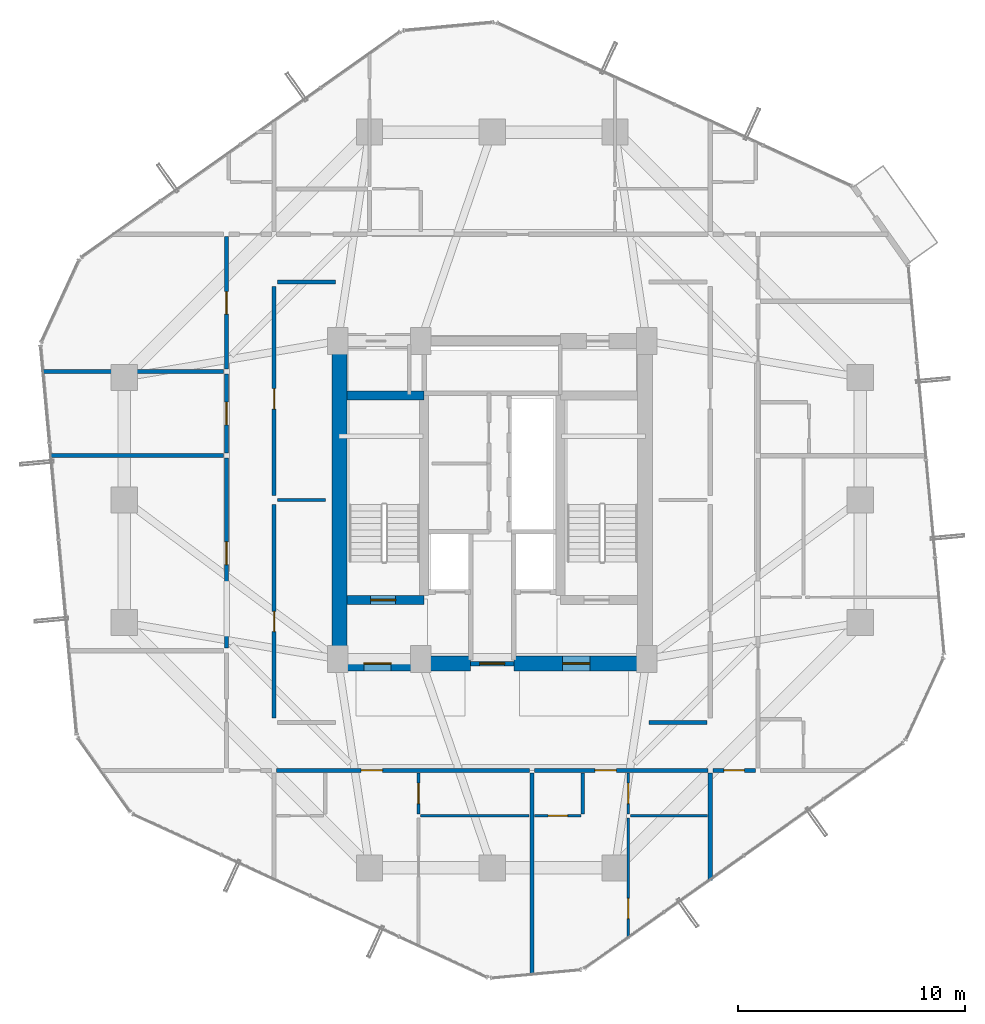
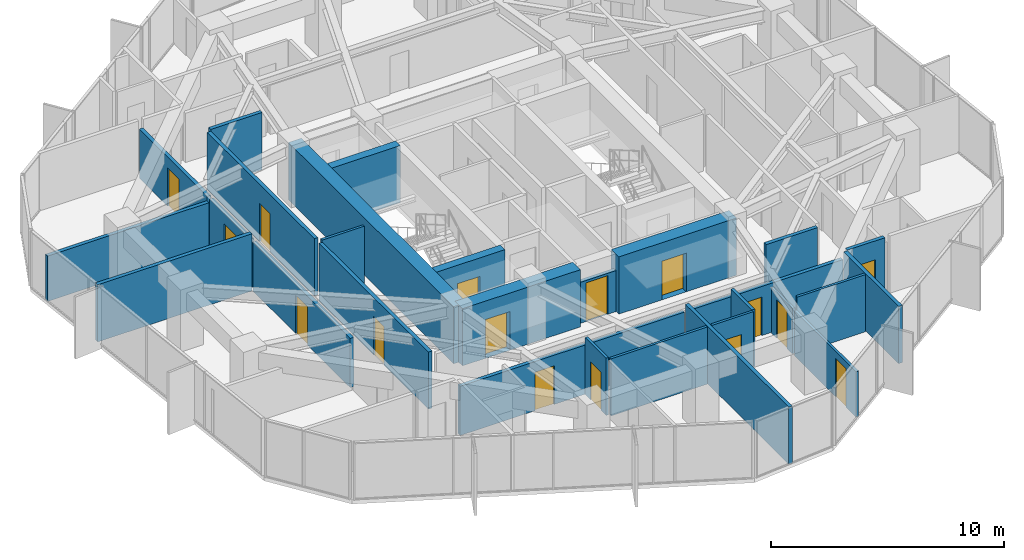
# One storey, part 28 of 33: 28 walls, 16 doors, 16 openings.
"""IFC4 building model written with IfcOpenShell, lengths in metres."""

from ifc_helpers import new_model, si_unit, direction, frame, frame_2d, origin, place, context, subcontext, project, spatial, rectangle, extrude, source, transform, mapped, material, layer, layer_set, type_object, element, fill, save


model = new_model("IFC4")

# Units and contexts
model_context = context("Model", 3, precision=1e-05, world=origin(), true_north=direction((0.0, 1.0)))
body_context = subcontext(model_context, "Body", "Model", "MODEL_VIEW")
ifc_project = project(units=[si_unit("LENGTHUNIT", "METRE"), si_unit("AREAUNIT", "SQUARE_METRE"), si_unit("VOLUMEUNIT", "CUBIC_METRE"), si_unit("PLANEANGLEUNIT", "RADIAN"), si_unit("MASSUNIT", "GRAM", prefix="KILO")], contexts=[model_context])

# Site, building, storey
site_placement = place(None, origin())
site = spatial("IfcSite", under=ifc_project, at=site_placement, CompositionType="ELEMENT")
building_placement = place(site_placement, origin())
building = spatial("IfcBuilding", under=site, at=building_placement, Name="Veraguas Prism Commons", CompositionType="ELEMENT")
storey_placement = place(building_placement, frame((0.0, 0.0, 145.75)))
storey = spatial("IfcBuildingStorey", under=building, at=storey_placement, Name="L41", CompositionType="ELEMENT", Elevation=145.75)

# Wall, opening, door
ifc_material_1 = material(Name="Concrete C50/60", Category="concrete")
ifc_layer_1 = layer(ifc_material_1, 0.39990234375, Name="Clinic and Mid Core Shear Wall RC 400", Category="concrete")
ifc_layer_set_1 = layer_set([ifc_layer_1], Name="Concrete C50/60")
wall_type_1 = type_object("IfcWallType", Name="Clinic and Mid Core Shear Wall RC 400", PredefinedType="SHEAR", material=ifc_layer_set_1)
wall_1_placement = place(storey_placement, frame((17.60009765625, 19.60009765625, 0.0), z_axis=(0.0, 0.0, 1.0), x_axis=(1.0, 0.0, 0.0)))
wall_1 = element("IfcWall", 1, at=wall_1_placement, inside=storey, type_object=wall_type_1, Name="Stair ST-01 South Shear Wall L41", PredefinedType="SHEAR", context=body_context, shape_type="SweptSolid", body=[
    extrude(rectangle(XDim=3.39990234375, YDim=0.39990234375, at=frame_2d((1.699951171875, 0.0))), origin(), (0.0, 0.0, 1.0), 3.0),
])
opening_1_placement = place(wall_1_placement, frame((1.050048828125, 0.0, 0.0)))
opening_1 = element("IfcOpeningElement", 2, at=opening_1_placement, cuts=wall_1, Name="Opening DR-05", PredefinedType="OPENING", context=body_context, shape_type="SweptSolid", body=[
    extrude(rectangle(XDim=1.10009765625, YDim=2.030029296875, at=frame_2d((0.550048828125, 1.01513671875))), frame((0.0, 0.2099609375, 0.0), z_axis=(0.0, -1.0, 0.0), x_axis=(1.0, 0.0, 0.0)), (0.0, 0.0, 1.0), 0.419921875),
])
ifc_material_2 = material(Name="Steel fire-rated door assembly", Category="steel")
door_type_1 = type_object("IfcDoorType", Name="Protected Stair and Refuge Fire Door 1100x2030", OperationType="NOTDEFINED", PredefinedType="DOOR", material=ifc_material_2)
shared_shape_1 = source(origin(), body_context, "Body", "SweptSolid", [
    extrude(rectangle(XDim=1.10009765625, YDim=2.030029296875, at=frame_2d((0.550048828125, 1.01513671875))), frame((0.0, 0.02490234375, 0.0), z_axis=(0.0, -1.0, 0.0), x_axis=(1.0, 0.0, 0.0)), (0.0, 0.0, 1.0), 0.050048828125),
])
door_1_placement = place(opening_1_placement, origin())
door_1 = element("IfcDoor", 3, at=door_1_placement, inside=storey, type_object=door_type_1, Name="Stair ST-01 Enclosure Door L41", OperationType="SINGLE_SWING_RIGHT", OverallHeight=2.030029296875, OverallWidth=1.10009765625, PredefinedType="DOOR", context=body_context, shape_type="MappedRepresentation", body=[
    mapped(shared_shape_1, transform((0.0, 0.0, 0.0), scale=1.0)),
])
fill(opening_1, door_1)

# Walls
wall_2_placement = place(storey_placement, frame((17.60009765625, 28.60009765625, 0.0), z_axis=(0.0, 0.0, 1.0), x_axis=(1.0, 0.0, 0.0)))
element("IfcWall", 4, at=wall_2_placement, inside=storey, type_object=wall_type_1, Name="Stair ST-01 North Shear Wall L41", PredefinedType="SHEAR", context=body_context, shape_type="SweptSolid", body=[
    extrude(rectangle(XDim=3.39990234375, YDim=0.39990234375, at=frame_2d((1.699951171875, 0.0))), origin(), (0.0, 0.0, 1.0), 3.0),
])
ifc_material_3 = material(Name="Concrete C55/67", Category="concrete")
ifc_layer_2 = layer(ifc_material_3, 0.64990234375, Name="Core Outer Shear Wall Mid RC 650", Category="concrete")
ifc_layer_set_2 = layer_set([ifc_layer_2], Name="Concrete C55/67")
wall_type_2 = type_object("IfcWallType", Name="Core Outer Shear Wall Mid RC 650", PredefinedType="SHEAR", material=ifc_layer_set_2)
wall_3_placement = place(storey_placement, frame((17.27490234375, 16.800048828125, 0.0), z_axis=(0.0, 0.0, 1.0), x_axis=(0.0, 1.0, 0.0)))
element("IfcWall", 5, at=wall_3_placement, inside=storey, type_object=wall_type_2, Name="Central Core West Shear Wall L41", PredefinedType="SHEAR", context=body_context, shape_type="SweptSolid", body=[
    extrude(rectangle(XDim=14.199951171875, YDim=0.64990234375, at=frame_2d((7.10009765625, 0.0))), origin(), (0.0, 0.0, 1.0), 3.0),
])

# Wall, opening, door
wall_4_placement = place(storey_placement, frame((17.199951171875, 16.800048828125, 0.0), z_axis=(0.0, 0.0, 1.0), x_axis=(1.0, 0.0, 0.0)))
wall_4 = element("IfcWall", 6, at=wall_4_placement, inside=storey, type_object=wall_type_2, Name="Central Core South-West Shear Wall L41", PredefinedType="SHEAR", context=body_context, shape_type="SweptSolid", body=[
    extrude(rectangle(XDim=5.85009765625, YDim=0.64990234375, at=frame_2d((2.925048828125, 0.0))), origin(), (0.0, 0.0, 1.0), 3.0),
])
opening_2_placement = place(wall_4_placement, frame((1.14990234375, 0.0, 0.0)))
opening_2 = element("IfcOpeningElement", 7, at=opening_2_placement, cuts=wall_4, Name="Opening DR-06", PredefinedType="OPENING", context=body_context, shape_type="SweptSolid", body=[
    extrude(rectangle(XDim=1.199951171875, YDim=2.030029296875, at=frame_2d((0.60009765625, 1.01513671875))), frame((0.0, 0.3349609375, 0.0), z_axis=(0.0, -1.0, 0.0), x_axis=(1.0, 0.0, 0.0)), (0.0, 0.0, 1.0), 0.669921875),
])
door_type_2 = type_object("IfcDoorType", Name="Firefighting Lobby Smoke Door 1200x2030", OperationType="NOTDEFINED", PredefinedType="DOOR", material=ifc_material_2)
shared_shape_2 = source(origin(), body_context, "Body", "SweptSolid", [
    extrude(rectangle(XDim=1.199951171875, YDim=2.030029296875, at=frame_2d((0.60009765625, 1.01513671875))), frame((0.0, 0.02490234375, 0.0), z_axis=(0.0, -1.0, 0.0), x_axis=(1.0, 0.0, 0.0)), (0.0, 0.0, 1.0), 0.050048828125),
])
door_2_placement = place(opening_2_placement, origin())
door_2 = element("IfcDoor", 8, at=door_2_placement, inside=storey, type_object=door_type_2, Name="West FF Lobby Door L41", OperationType="SINGLE_SWING_LEFT", OverallHeight=2.030029296875, OverallWidth=1.199951171875, PredefinedType="DOOR", context=body_context, shape_type="MappedRepresentation", body=[
    mapped(shared_shape_2, transform((0.0, 0.0, 0.0), scale=1.0)),
])
fill(opening_2, door_2)

wall_5_placement = place(storey_placement, frame((24.949951171875, 16.800048828125, 0.0), z_axis=(0.0, 0.0, 1.0), x_axis=(1.0, 0.0, 0.0)))
wall_5 = element("IfcWall", 9, at=wall_5_placement, inside=storey, type_object=wall_type_2, Name="Central Core South-East Shear Wall L41", PredefinedType="SHEAR", context=body_context, shape_type="SweptSolid", body=[
    extrude(rectangle(XDim=5.85009765625, YDim=0.64990234375, at=frame_2d((2.925048828125, 0.0))), origin(), (0.0, 0.0, 1.0), 3.0),
])
opening_3_placement = place(wall_5_placement, frame((2.14990234375, 0.0, 0.0)))
opening_3 = element("IfcOpeningElement", 10, at=opening_3_placement, cuts=wall_5, Name="Opening DR-06", PredefinedType="OPENING", context=body_context, shape_type="SweptSolid", body=[
    extrude(rectangle(XDim=1.199951171875, YDim=2.030029296875, at=frame_2d((0.60009765625, 1.01513671875))), frame((0.0, 0.3349609375, 0.0), z_axis=(0.0, -1.0, 0.0), x_axis=(1.0, 0.0, 0.0)), (0.0, 0.0, 1.0), 0.669921875),
])
door_3_placement = place(opening_3_placement, origin())
door_3 = element("IfcDoor", 11, at=door_3_placement, inside=storey, type_object=door_type_2, Name="East FF Lobby Door L41", OperationType="SINGLE_SWING_LEFT", OverallHeight=2.030029296875, OverallWidth=1.199951171875, PredefinedType="DOOR", context=body_context, shape_type="MappedRepresentation", body=[
    mapped(shared_shape_2, transform((0.0, 0.0, 0.0), scale=1.0)),
])
fill(opening_3, door_3)

ifc_material_4 = material(Name="Autoclaved aerated masonry block 10 MPa", Category="masonry")
ifc_layer_3 = layer(ifc_material_4, 0.179931640625, Name="Corridor and Inter-Tenancy Partition 180", Category="masonry")
ifc_layer_set_3 = layer_set([ifc_layer_3], Name="Autoclaved aerated masonry block 10 MPa")
wall_type_3 = type_object("IfcWallType", Name="Corridor and Inter-Tenancy Partition 180", PredefinedType="PARTITIONING", material=ifc_layer_set_3)
wall_6_placement = place(storey_placement, frame((14.39990234375, 14.39990234375, 0.0), z_axis=(0.0, 0.0, 1.0), x_axis=(0.0, 1.0, 0.0)))
wall_6 = element("IfcWall", 12, at=wall_6_placement, inside=storey, type_object=wall_type_3, Name="WL-L41-IRW1", PredefinedType="PARTITIONING", context=body_context, shape_type="SweptSolid", body=[
    extrude(rectangle(XDim=9.400146484375, YDim=0.179931640625, at=frame_2d((4.7001953125, 0.0))), origin(), (0.0, 0.0, 1.0), 3.0),
])
opening_4_placement = place(wall_6_placement, frame((3.800048828125, 0.0, 0.0)))
opening_4 = element("IfcOpeningElement", 13, at=opening_4_placement, cuts=wall_6, Name="Opening DR-14", PredefinedType="OPENING", context=body_context, shape_type="SweptSolid", body=[
    extrude(rectangle(XDim=0.89990234375, YDim=2.010009765625, at=frame_2d((0.449951171875, 1.0048828125))), frame((0.0, 0.099853515625, 0.0), z_axis=(0.0, -1.0, 0.0), x_axis=(1.0, 0.0, 0.0)), (0.0, 0.0, 1.0), 0.199951171875),
])
door_type_3 = type_object("IfcDoorType", Name="Core Service Room Fire Door 900x2010", OperationType="NOTDEFINED", PredefinedType="DOOR", material=ifc_material_2)
shared_shape_3 = source(origin(), body_context, "Body", "SweptSolid", [
    extrude(rectangle(XDim=0.89990234375, YDim=2.010009765625, at=frame_2d((0.449951171875, 1.0048828125))), frame((0.0, 0.02490234375, 0.0), z_axis=(0.0, -1.0, 0.0), x_axis=(1.0, 0.0, 0.0)), (0.0, 0.0, 1.0), 0.050048828125),
])
door_4_placement = place(opening_4_placement, origin())
door_4 = element("IfcDoor", 14, at=door_4_placement, inside=storey, type_object=door_type_3, Name="Residents Quiet Study Pod Door L41", OperationType="SINGLE_SWING_RIGHT", OverallHeight=2.010009765625, OverallWidth=0.89990234375, PredefinedType="DOOR", context=body_context, shape_type="MappedRepresentation", body=[
    mapped(shared_shape_3, transform((0.0, 0.0, 0.0), scale=1.0)),
])
fill(opening_4, door_4)

wall_7_placement = place(storey_placement, frame((14.39990234375, 24.199951171875, 0.0), z_axis=(0.0, 0.0, 1.0), x_axis=(0.0, 1.0, 0.0)))
wall_7 = element("IfcWall", 15, at=wall_7_placement, inside=storey, type_object=wall_type_3, Name="WL-L41-IRW2", PredefinedType="PARTITIONING", context=body_context, shape_type="SweptSolid", body=[
    extrude(rectangle(XDim=9.199951171875, YDim=0.179931640625, at=frame_2d((4.60009765625, 0.0))), origin(), (0.0, 0.0, 1.0), 3.0),
])
opening_5_placement = place(wall_7_placement, frame((3.800048828125, 0.0, 0.0)))
opening_5 = element("IfcOpeningElement", 16, at=opening_5_placement, cuts=wall_7, Name="Opening DR-14", PredefinedType="OPENING", context=body_context, shape_type="SweptSolid", body=[
    extrude(rectangle(XDim=0.89990234375, YDim=2.010009765625, at=frame_2d((0.449951171875, 1.0048828125))), frame((0.0, 0.099853515625, 0.0), z_axis=(0.0, -1.0, 0.0), x_axis=(1.0, 0.0, 0.0)), (0.0, 0.0, 1.0), 0.199951171875),
])
door_5_placement = place(opening_5_placement, origin())
door_5 = element("IfcDoor", 17, at=door_5_placement, inside=storey, type_object=door_type_3, Name="Co-op Cycle and Pram Store Door L41", OperationType="SINGLE_SWING_LEFT", OverallHeight=2.010009765625, OverallWidth=0.89990234375, PredefinedType="DOOR", context=body_context, shape_type="MappedRepresentation", body=[
    mapped(shared_shape_3, transform((0.0, 0.0, 0.0), scale=1.0)),
])
fill(opening_5, door_5)

# Walls
for number, where, z_axis, x_axis, name in (
    (18, (14.550048828125, 33.60009765625, 0.0), (0.0, 0.0, 1.0), (1.0, 0.0, 0.0), "WL-L41-IRWN"),
    (19, (30.89990234375, 14.199951171875, 0.0), (0.0, 0.0, 1.0), (1.0, 0.0, 0.0), "WL-L41-IRES"),
):
    element("IfcWall", number, at=place(storey_placement, frame(where, z_axis=z_axis, x_axis=x_axis)), inside=storey, type_object=wall_type_3, Name=name, PredefinedType="PARTITIONING", context=body_context, shape_type="SweptSolid", body=[
        extrude(rectangle(XDim=2.550048828125, YDim=0.179931640625, at=frame_2d((1.27490234375, 0.0))), origin(), (0.0, 0.0, 1.0), 3.0),
    ])
wall_8_placement = place(storey_placement, frame((33.60009765625, 11.97998046875, 0.0), z_axis=(0.0, 0.0, 1.0), x_axis=(0.0, -1.0, 0.0)))
element("IfcWall", 20, at=wall_8_placement, inside=storey, type_object=wall_type_3, Name="WL-L41-PT002", PredefinedType="PARTITIONING", context=body_context, shape_type="SweptSolid", body=[
    extrude(rectangle(XDim=4.72265625, YDim=0.179931640625, at=frame_2d((2.361328125, 0.0))), origin(), (0.0, 0.0, 1.0), 3.0),
])

# Wall, opening, door
wall_9_placement = place(storey_placement, frame((14.510009765625, 12.10009765625, 0.0), z_axis=(0.0, 0.0, 1.0), x_axis=(1.0, 0.0, 0.0)))
wall_9 = element("IfcWall", 21, at=wall_9_placement, inside=storey, type_object=wall_type_3, Name="WL-L41-PT003", PredefinedType="PARTITIONING", context=body_context, shape_type="SweptSolid", body=[
    extrude(rectangle(XDim=11.1240234375, YDim=0.179931640625, at=frame_2d((5.56201171875, 0.0))), origin(), (0.0, 0.0, 1.0), 2.580078125),
])
opening_6_placement = place(wall_9_placement, frame((3.716552734375, 0.0, 0.0)))
opening_6 = element("IfcOpeningElement", 22, at=opening_6_placement, cuts=wall_9, Name="Opening DR-01", PredefinedType="OPENING", context=body_context, shape_type="SweptSolid", body=[
    extrude(rectangle(XDim=0.949951171875, YDim=2.02001953125, at=frame_2d((0.47509765625, 1.010009765625))), frame((0.0, 0.099853515625, 0.0), z_axis=(0.0, -1.0, 0.0), x_axis=(1.0, 0.0, 0.0)), (0.0, 0.0, 1.0), 0.199951171875),
])
ifc_material_5 = material(Name="Anodised aluminium EN AW-6063 T6", Category="aluminium")
door_type_4 = type_object("IfcDoorType", Name="Apartment Entrance Fire Door 950x2020", OperationType="NOTDEFINED", PredefinedType="DOOR", material=ifc_material_5)
shared_shape_4 = source(origin(), body_context, "Body", "SweptSolid", [
    extrude(rectangle(XDim=0.949951171875, YDim=2.02001953125, at=frame_2d((0.47509765625, 1.010009765625))), frame((0.0, 0.02490234375, 0.0), z_axis=(0.0, -1.0, 0.0), x_axis=(1.0, 0.0, 0.0)), (0.0, 0.0, 1.0), 0.050048828125),
])
door_6_placement = place(opening_6_placement, origin())
door_6 = element("IfcDoor", 23, at=door_6_placement, inside=storey, type_object=door_type_4, Name="Flat 41A Entrance Door", OperationType="SINGLE_SWING_RIGHT", OverallHeight=2.02001953125, OverallWidth=0.949951171875, PredefinedType="DOOR", context=body_context, shape_type="MappedRepresentation", body=[
    mapped(shared_shape_4, transform((0.0, 0.0, 0.0), scale=1.0)),
])
fill(opening_6, door_6)

# Wall
wall_10_placement = place(storey_placement, frame((25.743896484375, 11.97998046875, 0.0), z_axis=(0.0, 0.0, 1.0), x_axis=(0.0, -1.0, 0.0)))
element("IfcWall", 24, at=wall_10_placement, inside=storey, type_object=wall_type_3, Name="WL-L41-PT009", PredefinedType="PARTITIONING", context=body_context, shape_type="SweptSolid", body=[
    extrude(rectangle(XDim=8.88916015625, YDim=0.179931640625, at=frame_2d((4.444580078125, 0.0))), origin(), (0.0, 0.0, 1.0), 3.0),
])

# Wall, opening, door
wall_11_placement = place(storey_placement, frame((25.85400390625, 12.10009765625, 0.0), z_axis=(0.0, 0.0, 1.0), x_axis=(1.0, 0.0, 0.0)))
wall_11 = element("IfcWall", 25, at=wall_11_placement, inside=storey, type_object=wall_type_3, Name="WL-L41-PT010", PredefinedType="PARTITIONING", context=body_context, shape_type="SweptSolid", body=[
    extrude(rectangle(XDim=7.635986328125, YDim=0.179931640625, at=frame_2d((3.81787109375, 0.0))), origin(), (0.0, 0.0, 1.0), 2.580078125),
])
opening_7_placement = place(wall_11_placement, frame((2.660888671875, 0.0, 0.0)))
opening_7 = element("IfcOpeningElement", 26, at=opening_7_placement, cuts=wall_11, Name="Opening DR-01", PredefinedType="OPENING", context=body_context, shape_type="SweptSolid", body=[
    extrude(rectangle(XDim=0.949951171875, YDim=2.02001953125, at=frame_2d((0.47509765625, 1.010009765625))), frame((0.0, 0.099853515625, 0.0), z_axis=(0.0, -1.0, 0.0), x_axis=(1.0, 0.0, 0.0)), (0.0, 0.0, 1.0), 0.199951171875),
])
door_7_placement = place(opening_7_placement, origin())
door_7 = element("IfcDoor", 27, at=door_7_placement, inside=storey, type_object=door_type_4, Name="Flat 41B Entrance Door", OperationType="SINGLE_SWING_RIGHT", OverallHeight=2.02001953125, OverallWidth=0.949951171875, PredefinedType="DOOR", context=body_context, shape_type="MappedRepresentation", body=[
    mapped(shared_shape_4, transform((0.0, 0.0, 0.0), scale=1.0)),
])
fill(opening_7, door_7)

wall_12_placement = place(storey_placement, frame((12.300048828125, 17.47412109375, 0.0), z_axis=(0.0, 0.0, 1.0), x_axis=(0.0, 1.0, 0.0)))
wall_12 = element("IfcWall", 28, at=wall_12_placement, inside=storey, type_object=wall_type_3, Name="WL-L41-PT031", PredefinedType="PARTITIONING", context=body_context, shape_type="SweptSolid", body=[
    extrude(rectangle(XDim=8.367919921875, YDim=0.179931640625, at=frame_2d((4.18408203125, 0.0))), origin(), (0.0, 0.0, 1.0), 2.580078125),
])
opening_8_placement = place(wall_12_placement, frame((3.68408203125, 0.0, 0.0)))
opening_8 = element("IfcOpeningElement", 29, at=opening_8_placement, cuts=wall_12, Name="Opening DR-13", PredefinedType="OPENING", context=body_context, shape_type="SweptSolid", body=[
    extrude(rectangle(XDim=1.0, YDim=2.010009765625, at=frame_2d((0.5, 1.0048828125))), frame((0.0, 0.099853515625, 0.0), z_axis=(0.0, -1.0, 0.0), x_axis=(1.0, 0.0, 0.0)), (0.0, 0.0, 1.0), 0.199951171875),
])
door_type_5 = type_object("IfcDoorType", Name="Core Accessible WC and Clinic Fire Door 1000x2010", OperationType="NOTDEFINED", PredefinedType="DOOR", material=ifc_material_2)
shared_shape_5 = source(origin(), body_context, "Body", "SweptSolid", [
    extrude(rectangle(XDim=1.0, YDim=2.010009765625, at=frame_2d((0.5, 1.0048828125))), frame((0.0, 0.02490234375, 0.0), z_axis=(0.0, -1.0, 0.0), x_axis=(1.0, 0.0, 0.0)), (0.0, 0.0, 1.0), 0.050048828125),
])
door_8_placement = place(opening_8_placement, origin())
door_8 = element("IfcDoor", 30, at=door_8_placement, inside=storey, type_object=door_type_5, Name="Co-op Store W Door", OperationType="SINGLE_SWING_LEFT", OverallHeight=2.010009765625, OverallWidth=1.0, PredefinedType="DOOR", context=body_context, shape_type="MappedRepresentation", body=[
    mapped(shared_shape_5, transform((0.0, 0.0, 0.0), scale=1.0)),
])
fill(opening_8, door_8)

# Wall
wall_13_placement = place(storey_placement, frame((12.179931640625, 25.951904296875, 0.0), z_axis=(0.0, 0.0, 1.0), x_axis=(-1.0, 0.0, 0.0)))
element("IfcWall", 31, at=wall_13_placement, inside=storey, type_object=wall_type_3, Name="WL-L41-PT033", PredefinedType="PARTITIONING", context=body_context, shape_type="SweptSolid", body=[
    extrude(rectangle(XDim=7.65478515625, YDim=0.179931640625, at=frame_2d((3.827392578125, 0.0))), origin(), (0.0, 0.0, 1.0), 3.0),
])

# Wall, opening, door
wall_14_placement = place(storey_placement, frame((12.300048828125, 26.06201171875, 0.0), z_axis=(0.0, 0.0, 1.0), x_axis=(0.0, 1.0, 0.0)))
wall_14 = element("IfcWall", 32, at=wall_14_placement, inside=storey, type_object=wall_type_3, Name="WL-L41-PT034", PredefinedType="PARTITIONING", context=body_context, shape_type="SweptSolid", body=[
    extrude(rectangle(XDim=3.48388671875, YDim=0.179931640625, at=frame_2d((1.741943359375, 0.0))), origin(), (0.0, 0.0, 1.0), 2.580078125),
])
opening_9_placement = place(wall_14_placement, frame((1.241943359375, 0.0, 0.0)))
opening_9 = element("IfcOpeningElement", 33, at=opening_9_placement, cuts=wall_14, Name="Opening DR-13", PredefinedType="OPENING", context=body_context, shape_type="SweptSolid", body=[
    extrude(rectangle(XDim=1.0, YDim=2.010009765625, at=frame_2d((0.5, 1.0048828125))), frame((0.0, 0.099853515625, 0.0), z_axis=(0.0, -1.0, 0.0), x_axis=(1.0, 0.0, 0.0)), (0.0, 0.0, 1.0), 0.199951171875),
])
door_9_placement = place(opening_9_placement, origin())
door_9 = element("IfcDoor", 34, at=door_9_placement, inside=storey, type_object=door_type_5, Name="Youth Homework Study Room Door", OperationType="SINGLE_SWING_RIGHT", OverallHeight=2.010009765625, OverallWidth=1.0, PredefinedType="DOOR", context=body_context, shape_type="MappedRepresentation", body=[
    mapped(shared_shape_5, transform((0.0, 0.0, 0.0), scale=1.0)),
])
fill(opening_9, door_9)

wall_15_placement = place(storey_placement, frame((12.300048828125, 29.76611328125, 0.0), z_axis=(0.0, 0.0, 1.0), x_axis=(0.0, 1.0, 0.0)))
wall_15 = element("IfcWall", 35, at=wall_15_placement, inside=storey, type_object=wall_type_3, Name="WL-L41-PT035", PredefinedType="PARTITIONING", context=body_context, shape_type="SweptSolid", body=[
    extrude(rectangle(XDim=5.823974609375, YDim=0.179931640625, at=frame_2d((2.912109375, 0.0))), origin(), (0.0, 0.0, 1.0), 2.580078125),
])
opening_10_placement = place(wall_15_placement, frame((2.412109375, 0.0, 0.0)))
opening_10 = element("IfcOpeningElement", 36, at=opening_10_placement, cuts=wall_15, Name="Opening DR-13", PredefinedType="OPENING", context=body_context, shape_type="SweptSolid", body=[
    extrude(rectangle(XDim=1.0, YDim=2.010009765625, at=frame_2d((0.5, 1.0048828125))), frame((0.0, 0.099853515625, 0.0), z_axis=(0.0, -1.0, 0.0), x_axis=(1.0, 0.0, 0.0)), (0.0, 0.0, 1.0), 0.199951171875),
])
door_10_placement = place(opening_10_placement, origin())
door_10 = element("IfcDoor", 37, at=door_10_placement, inside=storey, type_object=door_type_5, Name="Co-op Store W Door", OperationType="SINGLE_SWING_LEFT", OverallHeight=2.010009765625, OverallWidth=1.0, PredefinedType="DOOR", context=body_context, shape_type="MappedRepresentation", body=[
    mapped(shared_shape_5, transform((0.0, 0.0, 0.0), scale=1.0)),
])
fill(opening_10, door_10)

# Wall
wall_16_placement = place(storey_placement, frame((12.179931640625, 29.656005859375, 0.0), z_axis=(0.0, 0.0, 1.0), x_axis=(-1.0, 0.0, 0.0)))
element("IfcWall", 38, at=wall_16_placement, inside=storey, type_object=wall_type_3, Name="WL-L41-PT036", PredefinedType="PARTITIONING", context=body_context, shape_type="SweptSolid", body=[
    extrude(rectangle(XDim=7.9970703125, YDim=0.179931640625, at=frame_2d((3.99853515625, 0.0))), origin(), (0.0, 0.0, 1.0), 2.3779296875),
])

# Wall, opening, door
wall_17_placement = place(storey_placement, frame((33.719970703125, 12.10009765625, 0.0), z_axis=(0.0, 0.0, 1.0), x_axis=(1.0, 0.0, 0.0)))
wall_17 = element("IfcWall", 39, at=wall_17_placement, inside=storey, type_object=wall_type_3, Name="WL-L41-PT052", PredefinedType="PARTITIONING", context=body_context, shape_type="SweptSolid", body=[
    extrude(rectangle(XDim=1.860107421875, YDim=0.179931640625, at=frame_2d((0.93017578125, 0.0))), origin(), (0.0, 0.0, 1.0), 3.0),
])
opening_11_placement = place(wall_17_placement, frame((0.47998046875, 0.0, 0.0)))
opening_11 = element("IfcOpeningElement", 40, at=opening_11_placement, cuts=wall_17, Name="Opening DR-14", PredefinedType="OPENING", context=body_context, shape_type="SweptSolid", body=[
    extrude(rectangle(XDim=0.89990234375, YDim=2.010009765625, at=frame_2d((0.449951171875, 1.0048828125))), frame((0.0, 0.099853515625, 0.0), z_axis=(0.0, -1.0, 0.0), x_axis=(1.0, 0.0, 0.0)), (0.0, 0.0, 1.0), 0.199951171875),
])
door_11_placement = place(opening_11_placement, origin())
door_11 = element("IfcDoor", 41, at=door_11_placement, inside=storey, type_object=door_type_3, Name="Community Co-op Kitchen SE Door", OperationType="SINGLE_SWING_RIGHT", OverallHeight=2.010009765625, OverallWidth=0.89990234375, PredefinedType="DOOR", context=body_context, shape_type="MappedRepresentation", body=[
    mapped(shared_shape_3, transform((0.0, 0.0, 0.0), scale=1.0)),
])
fill(opening_11, door_11)

# Wall
ifc_material_6 = material(Name="Lightweight acoustic gypsum board")
ifc_layer_4 = layer(ifc_material_6, 0.125, Name="Internal Apartment Room Partition 125")
ifc_layer_set_4 = layer_set([ifc_layer_4], Name="Lightweight acoustic gypsum board")
wall_type_4 = type_object("IfcWallType", Name="Internal Apartment Room Partition 125", PredefinedType="PARTITIONING", material=ifc_layer_set_4)
wall_18_placement = place(storey_placement, frame((14.550048828125, 24.0, 0.0), z_axis=(0.0, 0.0, 1.0), x_axis=(1.0, 0.0, 0.0)))
element("IfcWall", 42, at=wall_18_placement, inside=storey, type_object=wall_type_4, Name="WL-L41-IRWM", PredefinedType="PARTITIONING", context=body_context, shape_type="SweptSolid", body=[
    extrude(rectangle(XDim=2.099853515625, YDim=0.125, at=frame_2d((1.0498046875, 0.0))), origin(), (0.0, 0.0, 1.0), 3.0),
])

# Wall, opening, door
wall_19_placement = place(storey_placement, frame((20.7529296875, 11.97998046875, 0.0), z_axis=(0.0, 0.0, 1.0), x_axis=(0.0, -1.0, 0.0)))
wall_19 = element("IfcWall", 43, at=wall_19_placement, inside=storey, type_object=wall_type_4, Name="WL-L41-PT006", PredefinedType="PARTITIONING", context=body_context, shape_type="SweptSolid", body=[
    extrude(rectangle(XDim=1.800048828125, YDim=0.125, at=frame_2d((0.89990234375, 0.0))), origin(), (0.0, 0.0, 1.0), 3.0),
])
opening_12_placement = place(wall_19_placement, frame((0.449951171875, 0.0, 0.0)))
opening_12 = element("IfcOpeningElement", 44, at=opening_12_placement, cuts=wall_19, Name="Opening DR-02", PredefinedType="OPENING", context=body_context, shape_type="SweptSolid", body=[
    extrude(rectangle(XDim=0.89990234375, YDim=2.010009765625, at=frame_2d((0.449951171875, 1.0048828125))), frame((0.0, 0.072509765625, 0.0), z_axis=(0.0, -1.0, 0.0), x_axis=(1.0, 0.0, 0.0)), (0.0, 0.0, 1.0), 0.14501953125),
])
ifc_material_7 = material(Name="Timber solid core hardwood", Category="wood")
door_type_6 = type_object("IfcDoorType", Name="Internal Habitable Room Door 900x2010", OperationType="NOTDEFINED", PredefinedType="DOOR", material=ifc_material_7)
door_12_placement = place(opening_12_placement, origin())
door_12 = element("IfcDoor", 45, at=door_12_placement, inside=storey, type_object=door_type_6, Name="Flat 41A Kitchen Door", OperationType="SINGLE_SWING_RIGHT", OverallHeight=2.010009765625, OverallWidth=0.89990234375, PredefinedType="DOOR", context=body_context, shape_type="MappedRepresentation", body=[
    mapped(shared_shape_3, transform((0.0, 0.0, 0.0), scale=1.0)),
])
fill(opening_12, door_12)

# Wall
wall_20_placement = place(storey_placement, frame((20.85302734375, 10.10009765625, 0.0), z_axis=(0.0, 0.0, 1.0), x_axis=(1.0, 0.0, 0.0)))
element("IfcWall", 46, at=wall_20_placement, inside=storey, type_object=wall_type_4, Name="WL-L41-PT007", PredefinedType="PARTITIONING", context=body_context, shape_type="SweptSolid", body=[
    extrude(rectangle(XDim=4.77099609375, YDim=0.125, at=frame_2d((2.385498046875, 0.0))), origin(), (0.0, 0.0, 1.0), 3.0),
])

# Wall, opening, door
wall_21_placement = place(storey_placement, frame((25.864013671875, 10.10009765625, 0.0), z_axis=(0.0, 0.0, 1.0), x_axis=(1.0, 0.0, 0.0)))
wall_21 = element("IfcWall", 47, at=wall_21_placement, inside=storey, type_object=wall_type_4, Name="WL-L41-PT012", PredefinedType="PARTITIONING", context=body_context, shape_type="SweptSolid", body=[
    extrude(rectangle(XDim=2.050048828125, YDim=0.125, at=frame_2d((1.02490234375, 0.0))), origin(), (0.0, 0.0, 1.0), 3.0),
])
opening_13_placement = place(wall_21_placement, frame((0.594970703125, 0.0, 0.0)))
opening_13 = element("IfcOpeningElement", 48, at=opening_13_placement, cuts=wall_21, Name="Opening DR-03", PredefinedType="OPENING", context=body_context, shape_type="SweptSolid", body=[
    extrude(rectangle(XDim=0.860107421875, YDim=2.010009765625, at=frame_2d((0.43017578125, 1.0048828125))), frame((0.0, 0.072509765625, 0.0), z_axis=(0.0, -1.0, 0.0), x_axis=(1.0, 0.0, 0.0)), (0.0, 0.0, 1.0), 0.14501953125),
])
ifc_material_8 = material(Name="Timber moisture-resistant leaf", Category="wood")
door_type_7 = type_object("IfcDoorType", Name="Internal Bathroom Door 860x2010", OperationType="NOTDEFINED", PredefinedType="DOOR", material=ifc_material_8)
shared_shape_6 = source(origin(), body_context, "Body", "SweptSolid", [
    extrude(rectangle(XDim=0.860107421875, YDim=2.010009765625, at=frame_2d((0.43017578125, 1.0048828125))), frame((0.0, 0.02490234375, 0.0), z_axis=(0.0, -1.0, 0.0), x_axis=(1.0, 0.0, 0.0)), (0.0, 0.0, 1.0), 0.050048828125),
])
door_13_placement = place(opening_13_placement, origin())
door_13 = element("IfcDoor", 49, at=door_13_placement, inside=storey, type_object=door_type_7, Name="Flat 41B Bathroom Door", OperationType="SINGLE_SWING_LEFT", OverallHeight=2.010009765625, OverallWidth=0.860107421875, PredefinedType="DOOR", context=body_context, shape_type="MappedRepresentation", body=[
    mapped(shared_shape_6, transform((0.0, 0.0, 0.0), scale=1.0)),
])
fill(opening_13, door_13)

wall_22_placement = place(storey_placement, frame((29.986083984375, 11.97998046875, 0.0), z_axis=(0.0, 0.0, 1.0), x_axis=(0.0, -1.0, 0.0)))
wall_22 = element("IfcWall", 50, at=wall_22_placement, inside=storey, type_object=wall_type_4, Name="WL-L41-PT013", PredefinedType="PARTITIONING", context=body_context, shape_type="SweptSolid", body=[
    extrude(rectangle(XDim=1.800048828125, YDim=0.125, at=frame_2d((0.89990234375, 0.0))), origin(), (0.0, 0.0, 1.0), 2.3779296875),
])
opening_14_placement = place(wall_22_placement, frame((0.449951171875, 0.0, 0.0)))
opening_14 = element("IfcOpeningElement", 51, at=opening_14_placement, cuts=wall_22, Name="Opening DR-02", PredefinedType="OPENING", context=body_context, shape_type="SweptSolid", body=[
    extrude(rectangle(XDim=0.89990234375, YDim=2.010009765625, at=frame_2d((0.449951171875, 1.0048828125))), frame((0.0, 0.072509765625, 0.0), z_axis=(0.0, -1.0, 0.0), x_axis=(1.0, 0.0, 0.0)), (0.0, 0.0, 1.0), 0.14501953125),
])
door_14_placement = place(opening_14_placement, origin())
door_14 = element("IfcDoor", 52, at=door_14_placement, inside=storey, type_object=door_type_6, Name="Flat 41B Kitchen Door", OperationType="SINGLE_SWING_RIGHT", OverallHeight=2.010009765625, OverallWidth=0.89990234375, PredefinedType="DOOR", context=body_context, shape_type="MappedRepresentation", body=[
    mapped(shared_shape_3, transform((0.0, 0.0, 0.0), scale=1.0)),
])
fill(opening_14, door_14)

# Wall
wall_23_placement = place(storey_placement, frame((30.0859375, 10.10009765625, 0.0), z_axis=(0.0, 0.0, 1.0), x_axis=(1.0, 0.0, 0.0)))
element("IfcWall", 53, at=wall_23_placement, inside=storey, type_object=wall_type_4, Name="WL-L41-PT014", PredefinedType="PARTITIONING", context=body_context, shape_type="SweptSolid", body=[
    extrude(rectangle(XDim=3.39404296875, YDim=0.125, at=frame_2d((1.697021484375, 0.0))), origin(), (0.0, 0.0, 1.0), 3.0),
])

# Wall, opening, door
wall_24_placement = place(storey_placement, frame((29.986083984375, 10.0, 0.0), z_axis=(0.0, 0.0, 1.0), x_axis=(0.0, -1.0, 0.0)))
wall_24 = element("IfcWall", 54, at=wall_24_placement, inside=storey, type_object=wall_type_4, Name="WL-L41-PT015", PredefinedType="PARTITIONING", context=body_context, shape_type="SweptSolid", body=[
    extrude(rectangle(XDim=5.2998046875, YDim=0.125, at=frame_2d((2.64990234375, 0.0))), origin(), (0.0, 0.0, 1.0), 2.3779296875),
])
opening_15_placement = place(wall_24_placement, frame((3.533203125, 0.0, 0.0)))
opening_15 = element("IfcOpeningElement", 55, at=opening_15_placement, cuts=wall_24, Name="Opening DR-02", PredefinedType="OPENING", context=body_context, shape_type="SweptSolid", body=[
    extrude(rectangle(XDim=0.89990234375, YDim=2.010009765625, at=frame_2d((0.449951171875, 1.0048828125))), frame((0.0, 0.072509765625, 0.0), z_axis=(0.0, -1.0, 0.0), x_axis=(1.0, 0.0, 0.0)), (0.0, 0.0, 1.0), 0.14501953125),
])
door_15_placement = place(opening_15_placement, origin())
door_15 = element("IfcDoor", 56, at=door_15_placement, inside=storey, type_object=door_type_6, Name="Flat 41B Bedroom 1 Door", OperationType="SINGLE_SWING_LEFT", OverallHeight=2.010009765625, OverallWidth=0.89990234375, PredefinedType="DOOR", context=body_context, shape_type="MappedRepresentation", body=[
    mapped(shared_shape_3, transform((0.0, 0.0, 0.0), scale=1.0)),
])
fill(opening_15, door_15)

ifc_layer_5 = layer(ifc_material_4, 0.199951171875, Name="Rated Shaft and Lobby Block Wall 200", Category="masonry")
ifc_layer_set_5 = layer_set([ifc_layer_5], Name="Autoclaved aerated masonry block 10 MPa")
wall_type_5 = type_object("IfcWallType", Name="Rated Shaft and Lobby Block Wall 200", PredefinedType="SOLIDWALL", material=ifc_layer_set_5)
wall_25_placement = place(storey_placement, frame((23.050048828125, 16.800048828125, 0.0), z_axis=(0.0, 0.0, 1.0), x_axis=(1.0, 0.0, 0.0)))
wall_25 = element("IfcWall", 57, at=wall_25_placement, inside=storey, type_object=wall_type_5, Name="Central Core Lobby Entrance Wall L41", PredefinedType="SOLIDWALL", context=body_context, shape_type="SweptSolid", body=[
    extrude(rectangle(XDim=1.89990234375, YDim=0.199951171875, at=frame_2d((0.949951171875, 0.0))), origin(), (0.0, 0.0, 1.0), 2.14990234375),
])
opening_16_placement = place(wall_25_placement, frame((0.39990234375, 0.0, 0.0)))
opening_16 = element("IfcOpeningElement", 58, at=opening_16_placement, cuts=wall_25, Name="Opening DR-05", PredefinedType="OPENING", context=body_context, shape_type="SweptSolid", body=[
    extrude(rectangle(XDim=1.10009765625, YDim=2.030029296875, at=frame_2d((0.550048828125, 1.01513671875))), frame((0.0, 0.10986328125, 0.0), z_axis=(0.0, -1.0, 0.0), x_axis=(1.0, 0.0, 0.0)), (0.0, 0.0, 1.0), 0.219970703125),
])
door_16_placement = place(opening_16_placement, origin())
door_16 = element("IfcDoor", 59, at=door_16_placement, inside=storey, type_object=door_type_1, Name="Central Lobby Door L41", OperationType="SINGLE_SWING_RIGHT", OverallHeight=2.030029296875, OverallWidth=1.10009765625, PredefinedType="DOOR", context=body_context, shape_type="MappedRepresentation", body=[
    mapped(shared_shape_1, transform((0.0, 0.0, 0.0), scale=1.0)),
])
fill(opening_16, door_16)

# Wall
ifc_layer_6 = layer(ifc_material_6, 0.14990234375, Name="Wet Room and Clinic Acoustic Partition 150")
ifc_layer_set_6 = layer_set([ifc_layer_6], Name="Lightweight acoustic gypsum board")
wall_type_6 = type_object("IfcWallType", Name="Wet Room and Clinic Acoustic Partition 150", PredefinedType="PARTITIONING", material=ifc_layer_set_6)
wall_26_placement = place(storey_placement, frame((27.993896484375, 11.97998046875, 0.0), z_axis=(0.0, 0.0, 1.0), x_axis=(0.0, -1.0, 0.0)))
element("IfcWall", 60, at=wall_26_placement, inside=storey, type_object=wall_type_6, Name="WL-L41-PT011", PredefinedType="PARTITIONING", context=body_context, shape_type="SweptSolid", body=[
    extrude(rectangle(XDim=1.800048828125, YDim=0.14990234375, at=frame_2d((0.89990234375, 0.0))), origin(), (0.0, 0.0, 1.0), 3.0),
])

save(model, "model.ifc")
